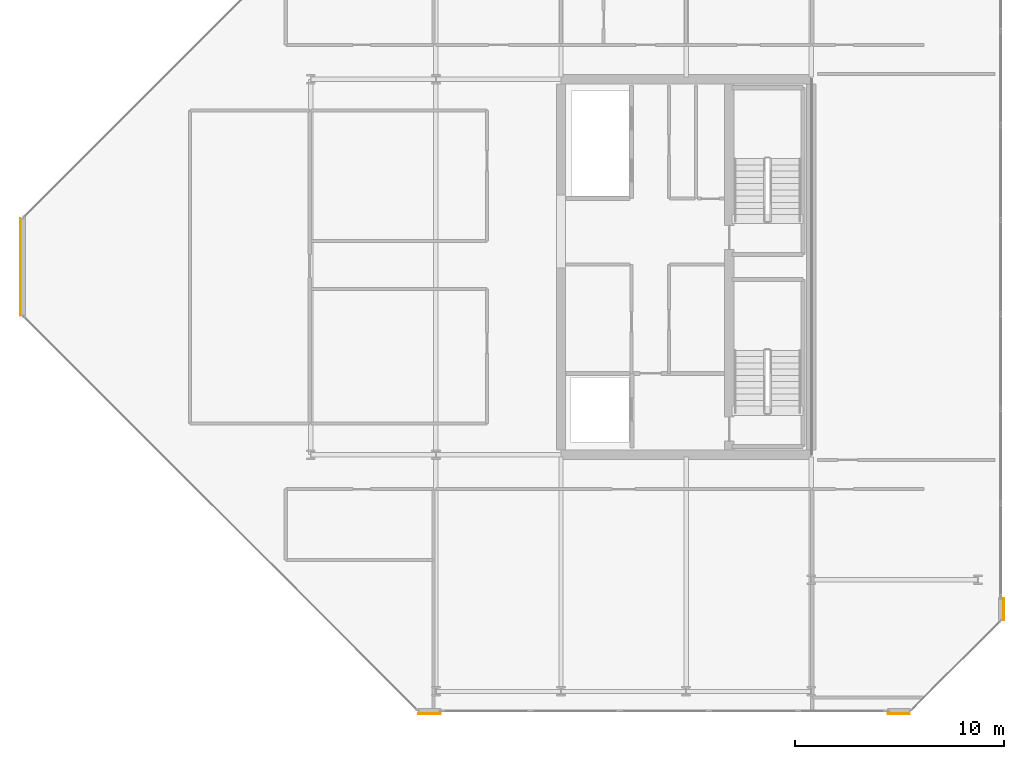
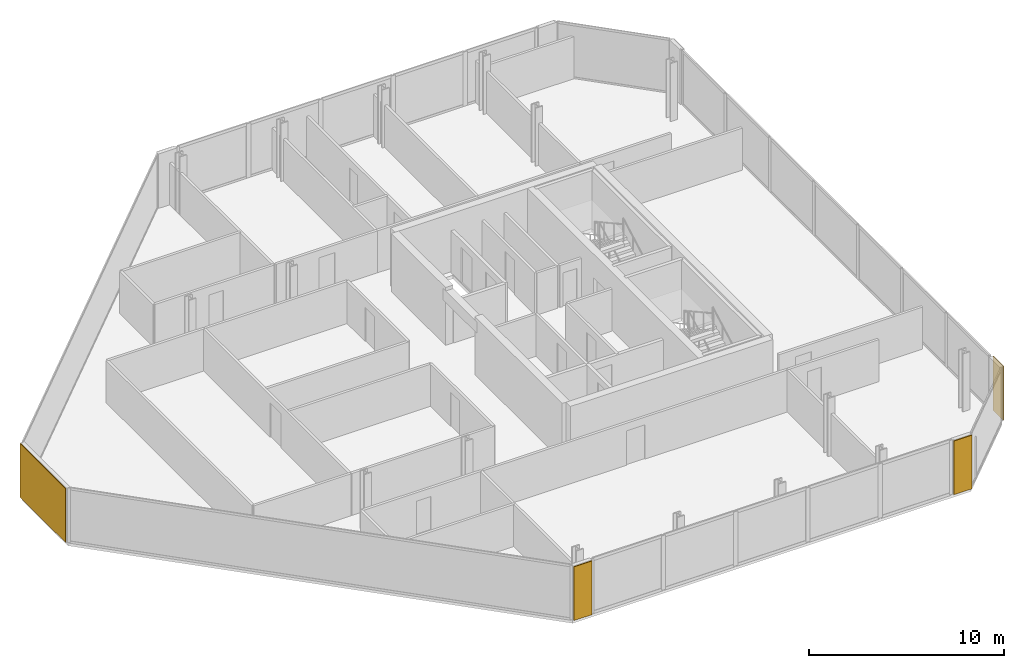
# One storey, part 16 of 17: 4 coverings.
"""IFC4 building model written with IfcOpenShell, lengths in metres."""

import ifcopenshell
import ifcopenshell.guid

model = None  # the IFC model being written
_history = None  # IfcOwnerHistory: only IFC2X3 demands one
_inside = {}  # id of a spatial element -> (the spatial element, [elements in it])
_under = {}  # id of a project, library or spatial element -> (it, [spatial elements below it])
_declared = {}  # id of a project -> (the project, [libraries it declares])
_typed = {}  # id of a type object -> (the type object, [elements of that type])
_made_of = {}  # id of a material, layer set ... -> (it, [elements and type objects made of it])


def new_model(schema):
    """Start an empty IFC model of exactly this schema.

    Asked for "IFC4X3", IfcOpenShell would pick the latest addendum, in which some entities
    have other attributes; the version numbers below select the first issue.
    IFC2X3 requires an IfcOwnerHistory on every rooted entity: one is made here for all.
    """
    global model, _history
    if schema == "IFC4X3":
        model = ifcopenshell.file(schema_version=(4, 3, 0, 0))
    else:
        model = ifcopenshell.file(schema=schema)
    _inside.clear()
    _under.clear()
    _declared.clear()
    _typed.clear()
    _made_of.clear()
    _history = None
    if model.schema == "IFC2X3":
        org = make("IfcOrganization", Name="unknown")
        user = make(
            "IfcPersonAndOrganization",
            ThePerson=make("IfcPerson", FamilyName="unknown"),
            TheOrganization=org,
        )
        app = make(
            "IfcApplication",
            ApplicationDeveloper=org,
            Version="unknown",
            ApplicationFullName="unknown",
            ApplicationIdentifier="unknown",
        )
        _history = make(
            "IfcOwnerHistory",
            OwningUser=user,
            OwningApplication=app,
            ChangeAction="ADDED",
            CreationDate=0,
        )
    return model


def make(cls, **values):
    """One entity of the class cls with the attributes given. An attribute that is None is left unset."""
    return model.create_entity(
        cls, **{name: value for name, value in values.items() if value is not None}
    )


def rooted(cls, **values):
    """An entity with a GlobalId (a new one), such as an element, a storey or a relation."""
    return make(cls, GlobalId=ifcopenshell.guid.new(), OwnerHistory=_history, **values)


def si_unit(unit_type, name, prefix=None):
    """IfcSIUnit, for example si_unit("LENGTHUNIT", "METRE", prefix="MILLI")."""
    return make("IfcSIUnit", UnitType=unit_type, Prefix=prefix, Name=name)


def assignment(units):
    """IfcUnitAssignment: the units of a project."""
    return None if units is None else make("IfcUnitAssignment", Units=units)


def point(xyz):
    """IfcCartesianPoint."""
    return None if xyz is None else make("IfcCartesianPoint", Coordinates=xyz)


def direction(xyz):
    """IfcDirection."""
    return None if xyz is None else make("IfcDirection", DirectionRatios=xyz)


def frame(location, z_axis=None, x_axis=None):
    """IfcAxis2Placement3D, a coordinate frame: its origin and axes. An axis left out is left unset."""
    return make(
        "IfcAxis2Placement3D",
        Location=point(location),
        Axis=direction(z_axis),
        RefDirection=direction(x_axis),
    )


def frame_2d(location, x_axis=None):
    """IfcAxis2Placement2D, a coordinate frame in the plane: its origin and x axis."""
    return make(
        "IfcAxis2Placement2D", Location=point(location), RefDirection=direction(x_axis)
    )


def origin():
    """The frame at (0, 0, 0) with its axes left unset."""
    return frame((0.0, 0.0, 0.0))


def origin_2d():
    """The frame at (0, 0) in the plane with its x axis left unset."""
    return frame_2d((0.0, 0.0))


def place(relative_to, where):
    """IfcLocalPlacement: puts the frame where relative to a parent placement (None: the world)."""
    return make(
        "IfcLocalPlacement", PlacementRelTo=relative_to, RelativePlacement=where
    )


def context(
    kind, dimensions, precision=None, world=None, true_north=None, identifier=None
):
    """IfcGeometricRepresentationContext, for example the 3D "Model" context."""
    return make(
        "IfcGeometricRepresentationContext",
        ContextIdentifier=identifier,
        ContextType=kind,
        CoordinateSpaceDimension=dimensions,
        Precision=precision,
        WorldCoordinateSystem=world,
        TrueNorth=true_north,
    )


def subcontext(parent, identifier, kind, view, scale=None):
    """IfcGeometricRepresentationSubContext, for example "Body" below "Model"."""
    return make(
        "IfcGeometricRepresentationSubContext",
        ContextIdentifier=identifier,
        ContextType=kind,
        ParentContext=parent,
        TargetScale=scale,
        TargetView=view,
    )


def project(units=None, contexts=None):
    """IfcProject with its units and contexts."""
    return rooted(
        "IfcProject",
        Name="project",
        RepresentationContexts=contexts,
        UnitsInContext=assignment(units),
    )


def spatial(cls, under=None, at=None, **own):
    """A site, building, storey or space (cls), placed at a placement, below another one or the project."""
    s = rooted(cls, ObjectPlacement=at, **own)
    if under is not None:
        _under.setdefault(under.id(), (under, []))[1].append(s)
    return s


def profile(cls, at=None, kind="AREA", **sizes):
    """A parametric profile (cls). Its sizes go by their IFC names, for example OverallWidth=200.0."""
    return make(cls, ProfileType=kind, Position=at, **sizes)


def rectangle(**sizes):
    """IfcRectangleProfileDef."""
    return profile("IfcRectangleProfileDef", **sizes)


def extrude(swept, where, along, depth):
    """IfcExtrudedAreaSolid: the profile swept, set in the frame where, extruded along a direction by depth."""
    return make(
        "IfcExtrudedAreaSolid",
        SweptArea=swept,
        Position=where,
        ExtrudedDirection=direction(along),
        Depth=depth,
    )


def shape(context_of_items, identifier, shape_type, items):
    """IfcShapeRepresentation: the items that make up one representation, for example the "Body"."""
    return make(
        "IfcShapeRepresentation",
        ContextOfItems=context_of_items,
        RepresentationIdentifier=identifier,
        RepresentationType=shape_type,
        Items=items,
    )


def material(Name=None, Category=None):
    """IfcMaterial."""
    return make("IfcMaterial", Name=Name, Category=Category)


def layer(
    of_material, thickness, ventilated=None, Name=None, Category=None, Priority=None
):
    """IfcMaterialLayer: one layer of a wall or slab, of a material (None: an air gap)."""
    return make(
        "IfcMaterialLayer",
        Material=of_material,
        LayerThickness=thickness,
        IsVentilated=ventilated,
        Name=Name,
        Category=Category,
        Priority=Priority,
    )


def layer_set(layers, Name=None):
    """IfcMaterialLayerSet."""
    return make("IfcMaterialLayerSet", MaterialLayers=layers, LayerSetName=Name)


def made_of(thing, what):
    """Note that an element or type object is made of a material, layer set ...; save() writes the relation."""
    if what is not None:
        _made_of.setdefault(what.id(), (what, []))[1].append(thing)
    return thing


def type_object(cls, material=None, **own):
    """A type object (cls), such as IfcWallType, which elements share."""
    return made_of(rooted(cls, **own), material)


def element(
    cls,
    number,
    at=None,
    inside=None,
    cuts=None,
    type_object=None,
    material=None,
    context=None,
    identifier="Body",
    shape_type=None,
    held_by="IfcProductDefinitionShape",
    body=None,
    shapes=None,
    **own,
):
    """One element of the class cls, such as IfcWall. Its Tag is "e" and its number.

    at: its placement. inside: the storey or other place that contains it. cuts: it is an
    opening in that element (IfcRelVoidsElement). A single representation is given by context,
    identifier, shape_type and body (its items); several are given by shapes. held_by: the class
    of the entity that holds the representations. save() writes the other relations.
    """
    e = rooted(cls, Tag="e%d" % number, ObjectPlacement=at, **own)
    if body is not None:
        shapes = [shape(context, identifier, shape_type, body)]
    if shapes is not None:
        e.Representation = make(held_by, Representations=shapes)
    if inside is not None:
        _inside.setdefault(inside.id(), (inside, []))[1].append(e)
    if cuts is not None:
        rooted(
            "IfcRelVoidsElement", RelatingBuildingElement=cuts, RelatedOpeningElement=e
        )
    if type_object is not None:
        _typed.setdefault(type_object.id(), (type_object, []))[1].append(e)
    return made_of(e, material)


def aggregate(whole, parts):
    """IfcRelAggregates: a whole, such as a stair, and the parts it consists of."""
    return rooted("IfcRelAggregates", RelatingObject=whole, RelatedObjects=parts)


def save(model, path):
    """Write the relations noted so far, then the file.

    IfcRelAggregates (storeys below a building ...), IfcRelContainedInSpatialStructure (elements
    in a storey), IfcRelDefinesByType, IfcRelAssociatesMaterial and IfcRelDeclares: one each for
    every whole, place, type object, material and project.
    """
    for whole, parts in _under.values():
        aggregate(whole, parts)
    for where, things in _inside.values():
        rooted(
            "IfcRelContainedInSpatialStructure",
            RelatedElements=things,
            RelatingStructure=where,
        )
    for kind, things in _typed.values():
        rooted("IfcRelDefinesByType", RelatedObjects=things, RelatingType=kind)
    for what, things in _made_of.values():
        rooted("IfcRelAssociatesMaterial", RelatedObjects=things, RelatingMaterial=what)
    for by, libraries in _declared.values():
        rooted("IfcRelDeclares", RelatingContext=by, RelatedDefinitions=libraries)
    model.write(path)


model = new_model("IFC4")

# Units and contexts
model_context = context("Model", 3, precision=1e-05, world=origin(), true_north=direction((0.0, 1.0)))
body_context = subcontext(model_context, "Body", "Model", "MODEL_VIEW")
ifc_project = project(units=[si_unit("LENGTHUNIT", "METRE"), si_unit("AREAUNIT", "SQUARE_METRE"), si_unit("VOLUMEUNIT", "CUBIC_METRE"), si_unit("PLANEANGLEUNIT", "RADIAN"), si_unit("MASSUNIT", "GRAM", prefix="KILO")], contexts=[model_context])

# Site, building, storey
site_placement = place(None, origin())
site = spatial("IfcSite", under=ifc_project, at=site_placement, CompositionType="ELEMENT")
building_placement = place(site_placement, origin())
building = spatial("IfcBuilding", under=site, at=building_placement, Name="Tanjung Sevakor Pilgrim Tower", CompositionType="ELEMENT")
storey_placement = place(building_placement, frame((0.0, 0.0, 264.330078125)))
storey = spatial("IfcBuildingStorey", under=building, at=storey_placement, Name="L74", CompositionType="ELEMENT", Elevation=264.330078125)

# Coverings
ifc_material = material(Name="Reconstructed Limestone Cladding", Category="masonry")
ifc_layer = layer(ifc_material, 0.044921875)
ifc_layer_set = layer_set([ifc_layer], Name="COV-CLAD-LIMESTONE")
covering_type = type_object("IfcCoveringType", Name="COV-CLAD-LIMESTONE", PredefinedType="CLADDING", material=ifc_layer_set)
for number, where, z_axis, x_axis, name in (
    (1, (71.695556640625, 12.177490234375, 0.019775390625), (0.0, 0.0, 1.0), (1.0, 0.0, 0.0), "L74 Warm Limestone Wall Cladding EW-CRN1-L74-EAST-0-1"),
    (2, (94.204345703125, 12.177490234375, 0.019775390625), (0.0, 0.0, 1.0), (1.0, 0.0, 0.0), "L74 Warm Limestone Wall Cladding EW-CRN2-L74-EAST-0-1"),
    (3, (99.222412109375, 17.195556640625, 0.019775390625), (0.0, 0.0, 1.0), (0.0, 1.0, 0.0), "L74 Warm Limestone Wall Cladding EW-CRN1-L74-EAST-2-1"),
):
    element("IfcCovering", number, at=place(storey_placement, frame(where, z_axis=z_axis, x_axis=x_axis)), inside=storey, type_object=covering_type, Name=name, PredefinedType="CLADDING", context=body_context, shape_type="SweptSolid", body=[
        extrude(rectangle(XDim=1.06005859375, YDim=0.044921875, at=origin_2d()), origin(), (0.0, 0.0, 1.0), 3.3701171875),
    ])
covering_placement = place(storey_placement, frame((52.077392578125, 33.60009765625, 0.019775390625), z_axis=(0.0, 0.0, 1.0), x_axis=(0.0, -1.0, 0.0)))
element("IfcCovering", 4, at=covering_placement, inside=storey, type_object=covering_type, Name="L74 Warm Limestone Wall Cladding EW-L74-EAST-7", PredefinedType="CLADDING", context=body_context, shape_type="SweptSolid", body=[
    extrude(rectangle(XDim=4.668701171875, YDim=0.044921875, at=origin_2d()), origin(), (0.0, 0.0, 1.0), 3.3701171875),
])

save(model, "model.ifc")
